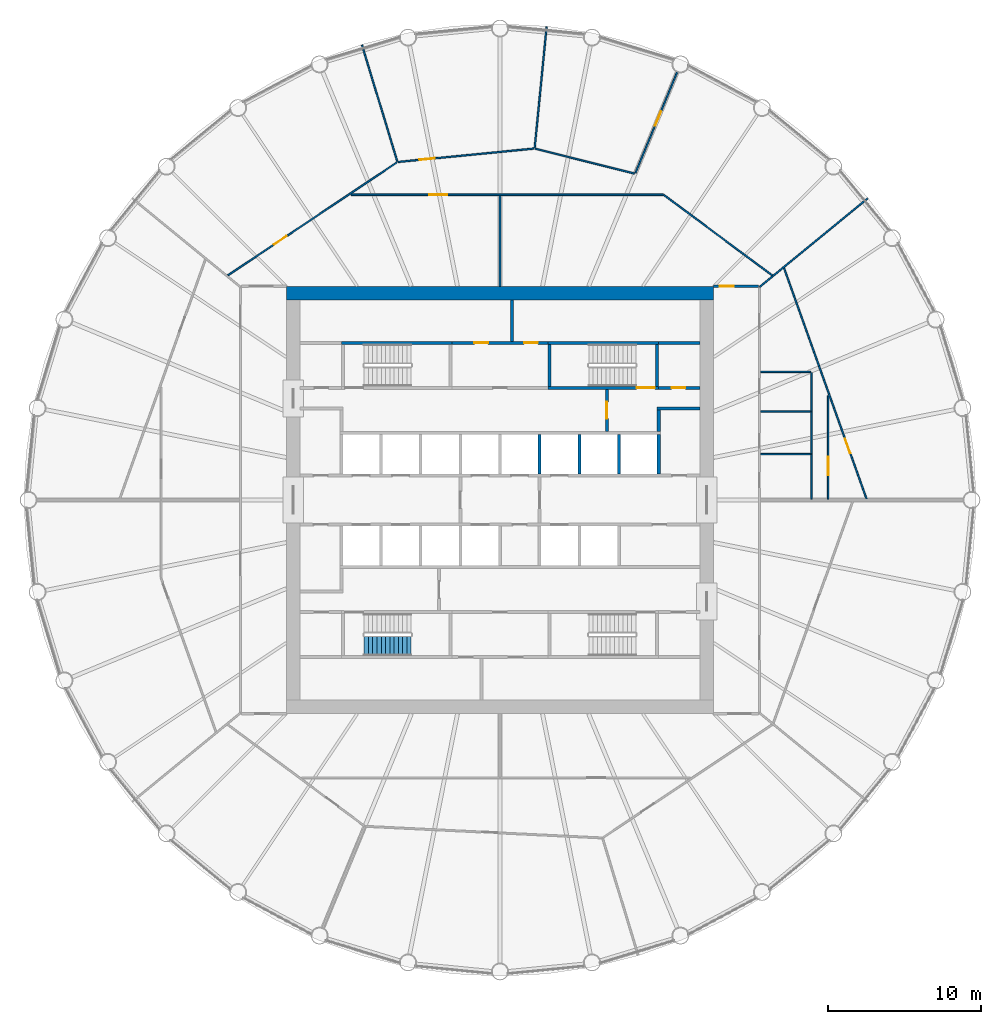
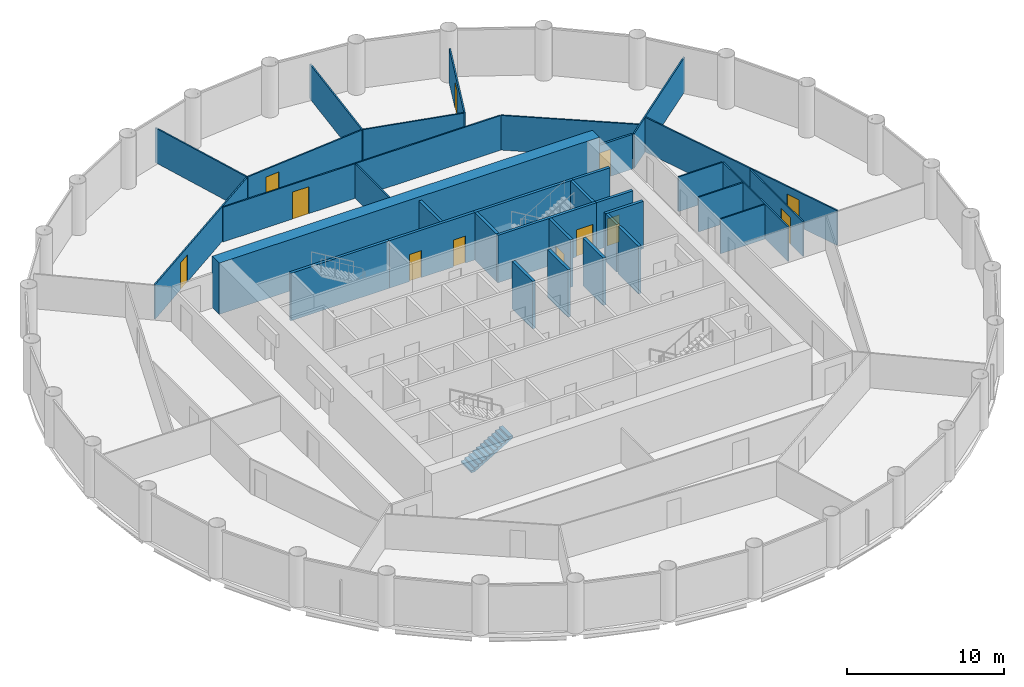
# One storey, part 7 of 9: 34 walls, 12 doors, 1 stair flight, 12 openings, 1 element without a shape of its own.
"""IFC4 building model written with IfcOpenShell, lengths in metres."""

from ifc_helpers import new_model, si_unit, direction, frame, frame_2d, origin, place, context, subcontext, project, spatial, polyline, rectangle, outline, extrude, material, layer, layer_set, type_object, element, fill, aggregate, save


model = new_model("IFC4")

# Units and contexts
model_context = context("Model", 3, precision=1e-05, world=origin(), true_north=direction((0.0, 1.0)))
body_context = subcontext(model_context, "Body", "Model", "MODEL_VIEW")
ifc_project = project(units=[si_unit("LENGTHUNIT", "METRE"), si_unit("AREAUNIT", "SQUARE_METRE"), si_unit("VOLUMEUNIT", "CUBIC_METRE"), si_unit("PLANEANGLEUNIT", "RADIAN"), si_unit("MASSUNIT", "GRAM", prefix="KILO")], contexts=[model_context])

# Site, building, storey
site_placement = place(None, origin())
site = spatial("IfcSite", under=ifc_project, at=site_placement, CompositionType="ELEMENT")
building_placement = place(site_placement, origin())
building = spatial("IfcBuilding", under=site, at=building_placement, Name="Corvane Civic Tower", CompositionType="ELEMENT")
storey_placement = place(building_placement, frame((0.0, 0.0, 180.0)))
storey = spatial("IfcBuildingStorey", under=building, at=storey_placement, Name="L42", CompositionType="ELEMENT", Elevation=180.0)

# Wall
ifc_material_1 = material(Name="Concrete C60/75", Category="concrete")
ifc_layer_1 = layer(ifc_material_1, 0.89990234375)
ifc_layer_set_1 = layer_set([ifc_layer_1], Name="Concrete C60/75")
wall_type_1 = type_object("IfcWallType", Name="CORE WALL 900 C60/75", PredefinedType="SHEAR", material=ifc_layer_set_1)
wall_1_placement = place(storey_placement, frame((-14.0, 13.550048828125, 0.0), z_axis=(0.0, 0.0, 1.0), x_axis=(1.0, 0.0, 0.0)))
element("IfcWall", 1, at=wall_1_placement, inside=storey, type_object=wall_type_1, Name="W-L42-core-N", PredefinedType="SHEAR", context=body_context, shape_type="SweptSolid", body=[
    extrude(rectangle(XDim=28.0, YDim=0.89990234375, at=frame_2d((14.0, 0.0))), origin(), (0.0, 0.0, 1.0), 4.0),
])

# Wall, opening, door
ifc_material_2 = material(Name="Concrete C30/37", Category="concrete")
ifc_layer_2 = layer(ifc_material_2, 0.199951171875)
ifc_layer_set_2 = layer_set([ifc_layer_2], Name="Concrete C30/37")
wall_type_2 = type_object("IfcWallType", Name="CR-WALL-200", PredefinedType="PARTITIONING", material=ifc_layer_set_2)
wall_2_placement = place(storey_placement, frame((10.39990234375, 7.35009765625, 0.0), z_axis=(0.0, 0.0, 1.0), x_axis=(1.0, 0.0, 0.0)))
wall_2 = element("IfcWall", 2, at=wall_2_placement, inside=storey, type_object=wall_type_2, Name="L42 core partition wall", PredefinedType="PARTITIONING", context=body_context, shape_type="SweptSolid", body=[
    extrude(rectangle(XDim=2.7001953125, YDim=0.199951171875, at=frame_2d((1.35009765625, 0.0))), origin(), (0.0, 0.0, 1.0), 3.699951171875),
])
opening_1_placement = place(wall_2_placement, frame((0.85009765625, 0.0, 0.0)))
opening_1 = element("IfcOpeningElement", 3, at=opening_1_placement, cuts=wall_2, Name="Opening L42.C14", PredefinedType="OPENING", context=body_context, shape_type="SweptSolid", body=[
    extrude(rectangle(XDim=0.89990234375, YDim=2.10009765625, at=frame_2d((0.449951171875, 1.050048828125))), frame((0.0, 0.10986328125, 0.0), z_axis=(0.0, -1.0, 0.0), x_axis=(1.0, 0.0, 0.0)), (0.0, 0.0, 1.0), 0.219970703125),
])
ifc_material_3 = material(Name="Steel fire door leaf", Category="steel")
door_type_1 = type_object("IfcDoorType", Name="CR-DOOR-900", OperationType="SINGLE_SWING_LEFT", PredefinedType="DOOR", material=ifc_material_3)
door_1_placement = place(opening_1_placement, origin())
door_1 = element("IfcDoor", 4, at=door_1_placement, inside=storey, type_object=door_type_1, Name="L42 door", OperationType="SINGLE_SWING_LEFT", OverallHeight=2.10009765625, OverallWidth=0.89990234375, PredefinedType="DOOR", context=body_context, shape_type="SweptSolid", body=[
    extrude(rectangle(XDim=0.89990234375, YDim=2.10009765625, at=frame_2d((0.449951171875, 1.050048828125))), frame((0.0, 0.02490234375, 0.0), z_axis=(0.0, -1.0, 0.0), x_axis=(1.0, 0.0, 0.0)), (0.0, 0.0, 1.0), 0.050048828125),
])
fill(opening_1, door_1)

# Wall, openings, doors
wall_3_placement = place(storey_placement, frame((-3.14990234375, 10.300048828125, 0.0), z_axis=(0.0, 0.0, 1.0), x_axis=(1.0, 0.0, 0.0)))
wall_3 = element("IfcWall", 5, at=wall_3_placement, inside=storey, type_object=wall_type_2, Name="L42 partition wall", PredefinedType="PARTITIONING", context=body_context, shape_type="SweptSolid", body=[
    extrude(rectangle(XDim=6.2998046875, YDim=0.199951171875, at=frame_2d((3.14990234375, 0.0))), origin(), (0.0, 0.0, 1.0), 3.699951171875),
])
opening_2_placement = place(wall_3_placement, frame((1.47509765625, 0.0, 0.0)))
opening_2 = element("IfcOpeningElement", 6, at=opening_2_placement, cuts=wall_3, Name="Opening L42.C08", PredefinedType="OPENING", context=body_context, shape_type="SweptSolid", body=[
    extrude(rectangle(XDim=0.89990234375, YDim=2.10009765625, at=frame_2d((0.449951171875, 1.050048828125))), frame((0.0, 0.10986328125, 0.0), z_axis=(0.0, -1.0, 0.0), x_axis=(1.0, 0.0, 0.0)), (0.0, 0.0, 1.0), 0.219970703125),
])
opening_3_placement = place(wall_3_placement, frame((4.72509765625, 0.0, 0.0)))
opening_3 = element("IfcOpeningElement", 7, at=opening_3_placement, cuts=wall_3, Name="Opening L42.C09", PredefinedType="OPENING", context=body_context, shape_type="SweptSolid", body=[
    extrude(rectangle(XDim=0.89990234375, YDim=2.10009765625, at=frame_2d((0.449951171875, 1.050048828125))), frame((0.0, 0.10986328125, 0.0), z_axis=(0.0, -1.0, 0.0), x_axis=(1.0, 0.0, 0.0)), (0.0, 0.0, 1.0), 0.219970703125),
])
door_2_placement = place(opening_2_placement, origin())
door_2 = element("IfcDoor", 8, at=door_2_placement, inside=storey, type_object=door_type_1, Name="L42 door", OperationType="SINGLE_SWING_LEFT", OverallHeight=2.10009765625, OverallWidth=0.89990234375, PredefinedType="DOOR", context=body_context, shape_type="SweptSolid", body=[
    extrude(rectangle(XDim=0.89990234375, YDim=2.10009765625, at=frame_2d((0.449951171875, 1.050048828125))), frame((0.0, 0.02490234375, 0.0), z_axis=(0.0, -1.0, 0.0), x_axis=(1.0, 0.0, 0.0)), (0.0, 0.0, 1.0), 0.050048828125),
])
fill(opening_2, door_2)
door_3_placement = place(opening_3_placement, origin())
door_3 = element("IfcDoor", 9, at=door_3_placement, inside=storey, type_object=door_type_1, Name="L42 door", OperationType="SINGLE_SWING_LEFT", OverallHeight=2.10009765625, OverallWidth=0.89990234375, PredefinedType="DOOR", context=body_context, shape_type="SweptSolid", body=[
    extrude(rectangle(XDim=0.89990234375, YDim=2.10009765625, at=frame_2d((0.449951171875, 1.050048828125))), frame((0.0, 0.02490234375, 0.0), z_axis=(0.0, -1.0, 0.0), x_axis=(1.0, 0.0, 0.0)), (0.0, 0.0, 1.0), 0.050048828125),
])
fill(opening_3, door_3)

# Wall, opening, door
wall_4_placement = place(storey_placement, frame((7.0, 4.5, 0.0), z_axis=(0.0, 0.0, 1.0), x_axis=(0.0, 1.0, 0.0)))
wall_4 = element("IfcWall", 10, at=wall_4_placement, inside=storey, type_object=wall_type_2, Name="L42 core partition wall", PredefinedType="PARTITIONING", context=body_context, shape_type="SweptSolid", body=[
    extrude(rectangle(XDim=2.75, YDim=0.199951171875, at=frame_2d((1.375, 0.0))), origin(), (0.0, 0.0, 1.0), 3.699951171875),
])
opening_4_placement = place(wall_4_placement, frame((0.824951171875, 0.0, 0.0)))
opening_4 = element("IfcOpeningElement", 11, at=opening_4_placement, cuts=wall_4, Name="Opening L42.C22", PredefinedType="OPENING", context=body_context, shape_type="SweptSolid", body=[
    extrude(rectangle(XDim=1.10009765625, YDim=2.10009765625, at=frame_2d((0.550048828125, 1.050048828125))), frame((0.0, 0.10986328125, 0.0), z_axis=(0.0, -1.0, 0.0), x_axis=(1.0, 0.0, 0.0)), (0.0, 0.0, 1.0), 0.219970703125),
])
ifc_material_4 = material(Name="Steel fire door leaf", Category="steel")
door_type_2 = type_object("IfcDoorType", Name="CR-DOOR-FFL-1100", OperationType="SINGLE_SWING_LEFT", PredefinedType="DOOR", material=ifc_material_4)
door_4_placement = place(opening_4_placement, origin())
door_4 = element("IfcDoor", 12, at=door_4_placement, inside=storey, type_object=door_type_2, Name="L42 lobby door", OperationType="SINGLE_SWING_LEFT", OverallHeight=2.10009765625, OverallWidth=1.10009765625, PredefinedType="DOOR", context=body_context, shape_type="SweptSolid", body=[
    extrude(rectangle(XDim=1.10009765625, YDim=2.10009765625, at=frame_2d((0.550048828125, 1.050048828125))), frame((0.0, 0.02490234375, 0.0), z_axis=(0.0, -1.0, 0.0), x_axis=(1.0, 0.0, 0.0)), (0.0, 0.0, 1.0), 0.050048828125),
])
fill(opening_4, door_4)

# Walls
wall_5_placement = place(storey_placement, origin())
element("IfcWall", 13, at=wall_5_placement, inside=storey, type_object=wall_type_2, Name="L42 core partition wall", PredefinedType="PARTITIONING", context=body_context, shape_type="SweptSolid", body=[
    extrude(outline(polyline([(13.10009765625, 5.89990234375), (10.300048828125, 5.89990234375), (10.300048828125, 6.10009765625), (13.10009765625, 6.10009765625), (13.10009765625, 5.89990234375)])), origin(), (0.0, 0.0, 1.0), 3.699951171875),
])
wall_6_placement = place(storey_placement, origin())
element("IfcWall", 14, at=wall_6_placement, inside=storey, type_object=wall_type_2, Name="L42 core partition wall", PredefinedType="PARTITIONING", context=body_context, shape_type="SweptSolid", body=[
    extrude(outline(polyline([(2.699951171875, 1.699951171875), (2.5, 1.699951171875), (2.5, 4.2998046875), (2.699951171875, 4.2998046875), (2.699951171875, 1.699951171875)])), origin(), (0.0, 0.0, 1.0), 3.699951171875),
])
wall_7_placement = place(storey_placement, origin())
element("IfcWall", 15, at=wall_7_placement, inside=storey, type_object=wall_type_2, Name="L42 core partition wall", PredefinedType="PARTITIONING", context=body_context, shape_type="SweptSolid", body=[
    extrude(outline(polyline([(5.300048828125, 1.699951171875), (5.10009765625, 1.699951171875), (5.10009765625, 4.2998046875), (5.300048828125, 4.2998046875), (5.300048828125, 1.699951171875)])), origin(), (0.0, 0.0, 1.0), 3.699951171875),
])
wall_8_placement = place(storey_placement, origin())
element("IfcWall", 16, at=wall_8_placement, inside=storey, type_object=wall_type_2, Name="L42 core partition wall", PredefinedType="PARTITIONING", context=body_context, shape_type="SweptSolid", body=[
    extrude(outline(polyline([(7.89990234375, 1.699951171875), (7.699951171875, 1.699951171875), (7.699951171875, 4.2998046875), (7.89990234375, 4.2998046875), (7.89990234375, 1.699951171875)])), origin(), (0.0, 0.0, 1.0), 3.699951171875),
])
wall_9_placement = place(storey_placement, origin())
element("IfcWall", 17, at=wall_9_placement, inside=storey, type_object=wall_type_2, Name="L42 core partition wall", PredefinedType="PARTITIONING", context=body_context, shape_type="SweptSolid", body=[
    extrude(outline(polyline([(10.5, 1.699951171875), (10.300048828125, 1.699951171875), (10.300048828125, 4.2998046875), (10.5, 4.2998046875), (10.5, 1.699951171875)])), origin(), (0.0, 0.0, 1.0), 3.699951171875),
])
wall_10_placement = place(storey_placement, origin())
element("IfcWall", 18, at=wall_10_placement, inside=storey, type_object=wall_type_2, Name="L42 core partition wall", PredefinedType="PARTITIONING", context=body_context, shape_type="SweptSolid", body=[
    extrude(outline(polyline([(10.5, 4.5), (10.300048828125, 4.5), (10.300048828125, 5.89990234375), (10.5, 5.89990234375), (10.5, 4.5)])), origin(), (0.0, 0.0, 1.0), 3.699951171875),
])
wall_11_placement = place(storey_placement, origin())
element("IfcWall", 19, at=wall_11_placement, inside=storey, type_object=wall_type_2, Name="L42 core partition wall", PredefinedType="PARTITIONING", context=body_context, shape_type="SweptSolid", body=[
    extrude(outline(polyline([(0.89990234375, 10.39990234375), (0.699951171875, 10.39990234375), (0.699951171875, 13.10009765625), (0.89990234375, 13.10009765625), (0.89990234375, 10.39990234375)])), origin(), (0.0, 0.0, 1.0), 3.699951171875),
])
wall_12_placement = place(storey_placement, origin())
element("IfcWall", 20, at=wall_12_placement, inside=storey, type_object=wall_type_2, Name="L42 core partition wall", PredefinedType="PARTITIONING", context=body_context, shape_type="SweptSolid", body=[
    extrude(outline(polyline([(10.39990234375, 10.199951171875), (10.39990234375, 10.39990234375), (13.10009765625, 10.39990234375), (13.10009765625, 10.199951171875), (10.39990234375, 10.199951171875)])), origin(), (0.0, 0.0, 1.0), 3.699951171875),
])
ifc_material_5 = material(Name="Plasterboard")
ifc_layer_3 = layer(ifc_material_5, 0.10009765625)
ifc_layer_set_3 = layer_set([ifc_layer_3], Name="Plasterboard")
wall_type_3 = type_object("IfcWallType", Name="Partition 100 plasterboard on studs", PredefinedType="PARTITIONING", material=ifc_layer_set_3)
wall_13_placement = place(storey_placement, frame((20.39990234375, 0.050048828125, 0.0), z_axis=(0.0, 0.0, 1.0), x_axis=(0.0, 1.0, 0.0)))
element("IfcWall", 21, at=wall_13_placement, inside=storey, type_object=wall_type_3, Name="Partition L42.020", PredefinedType="PARTITIONING", context=body_context, shape_type="SweptSolid", body=[
    extrude(rectangle(XDim=8.300048828125, YDim=0.10009765625, at=frame_2d((4.14990234375, 0.0))), origin(), (0.0, 0.0, 1.0), 2.699951171875),
])

# Wall, opening, door
wall_14_placement = place(storey_placement, frame((21.5, 0.050048828125, 0.0), z_axis=(0.0, 0.0, 1.0), x_axis=(0.0, 1.0, 0.0)))
wall_14 = element("IfcWall", 22, at=wall_14_placement, inside=storey, type_object=wall_type_3, Name="Partition L42.021", PredefinedType="PARTITIONING", context=body_context, shape_type="SweptSolid", body=[
    extrude(rectangle(XDim=6.76513671875, YDim=0.10009765625, at=frame_2d((3.382568359375, 0.0))), origin(), (0.0, 0.0, 1.0), 2.699951171875),
])
opening_5_placement = place(wall_14_placement, frame((1.56982421875, 0.0, 0.0)))
opening_5 = element("IfcOpeningElement", 23, at=opening_5_placement, cuts=wall_14, Name="Opening L42.014", PredefinedType="OPENING", context=body_context, shape_type="SweptSolid", body=[
    extrude(rectangle(XDim=1.199951171875, YDim=2.10009765625, at=frame_2d((0.60009765625, 1.050048828125))), frame((0.0, 0.06005859375, 0.0), z_axis=(0.0, -1.0, 0.0), x_axis=(1.0, 0.0, 0.0)), (0.0, 0.0, 1.0), 0.1201171875),
])
ifc_material_6 = material(Name="Timber", Category="wood")
door_type_3 = type_object("IfcDoorType", Name="Double door 1200", OperationType="NOTDEFINED", PredefinedType="DOOR", material=ifc_material_6)
door_5_placement = place(opening_5_placement, frame((1.199951171875, 0.0, 0.0), z_axis=(0.0, 0.0, 1.0), x_axis=(-1.0, 0.0, 0.0)))
door_5 = element("IfcDoor", 24, at=door_5_placement, inside=storey, type_object=door_type_3, Name="Door L42.014", OperationType="DOUBLE_DOOR_SINGLE_SWING", OverallHeight=2.10009765625, OverallWidth=1.199951171875, PredefinedType="DOOR", context=body_context, shape_type="SweptSolid", body=[
    extrude(rectangle(XDim=1.199951171875, YDim=2.10009765625, at=frame_2d((0.60009765625, 1.050048828125))), frame((0.0, 0.02490234375, 0.0), z_axis=(0.0, -1.0, 0.0), x_axis=(1.0, 0.0, 0.0)), (0.0, 0.0, 1.0), 0.050048828125),
])
fill(opening_5, door_5)

wall_15_placement = place(storey_placement, frame((18.6083984375, 15.18505859375, 0.0), z_axis=(0.0, 0.0, 1.0), x_axis=(0.336879589129, -0.941547737732, 0.0)))
wall_15 = element("IfcWall", 25, at=wall_15_placement, inside=storey, type_object=wall_type_3, Name="Partition L42.023", PredefinedType="PARTITIONING", context=body_context, shape_type="SweptSolid", body=[
    extrude(rectangle(XDim=16.056640625, YDim=0.10009765625, at=frame_2d((8.0283203125, 0.0))), origin(), (0.0, 0.0, 1.0), 2.699951171875),
])
opening_6_placement = place(wall_15_placement, frame((11.872802734375, 0.0, 0.0)))
opening_6 = element("IfcOpeningElement", 26, at=opening_6_placement, cuts=wall_15, Name="Opening L42.013", PredefinedType="OPENING", context=body_context, shape_type="SweptSolid", body=[
    extrude(rectangle(XDim=1.0, YDim=2.10009765625, at=frame_2d((0.5, 1.050048828125))), frame((0.0, 0.06005859375, 0.0), z_axis=(0.0, -1.0, 0.0), x_axis=(1.0, 0.0, 0.0)), (0.0, 0.0, 1.0), 0.1201171875),
])
ifc_material_7 = material(Name="Timber", Category="wood")
door_type_4 = type_object("IfcDoorType", Name="Single door 1000", OperationType="NOTDEFINED", PredefinedType="DOOR", material=ifc_material_7)
door_6_placement = place(opening_6_placement, origin())
door_6 = element("IfcDoor", 27, at=door_6_placement, inside=storey, type_object=door_type_4, Name="Door L42.013", OperationType="SINGLE_SWING_LEFT", OverallHeight=2.10009765625, OverallWidth=1.0, PredefinedType="DOOR", context=body_context, shape_type="SweptSolid", body=[
    extrude(rectangle(XDim=1.0, YDim=2.10009765625, at=frame_2d((0.5, 1.050048828125))), frame((0.0, 0.02490234375, 0.0), z_axis=(0.0, -1.0, 0.0), x_axis=(1.0, 0.0, 0.0)), (0.0, 0.0, 1.0), 0.050048828125),
])
fill(opening_6, door_6)

# Walls
for number, where, z_axis, x_axis, name in (
    (28, (17.074951171875, 3.0, 0.0), (0.0, 0.0, 1.0), (1.0, 0.0, 0.0), "Partition L42.024"),
    (29, (17.074951171875, 5.800048828125, 0.0), (0.0, 0.0, 1.0), (1.0, 0.0, 0.0), "Partition L42.025"),
    (30, (17.074951171875, 8.39990234375, 0.0), (0.0, 0.0, 1.0), (1.0, 0.0, 0.0), "Partition L42.026"),
):
    element("IfcWall", number, at=place(storey_placement, frame(where, z_axis=z_axis, x_axis=x_axis)), inside=storey, type_object=wall_type_3, Name=name, PredefinedType="PARTITIONING", context=body_context, shape_type="SweptSolid", body=[
        extrude(rectangle(XDim=3.275146484375, YDim=0.10009765625, at=frame_2d((1.6376953125, 0.0))), origin(), (0.0, 0.0, 1.0), 2.699951171875),
    ])
wall_16_placement = place(storey_placement, frame((17.018310546875, 13.966552734375, 0.0), z_axis=(0.0, 0.0, 1.0), x_axis=(0.773006154143, 0.634398522742, 0.0)))
element("IfcWall", 31, at=wall_16_placement, inside=storey, type_object=wall_type_3, Name="Partition L42.028", PredefinedType="PARTITIONING", context=body_context, shape_type="SweptSolid", body=[
    extrude(rectangle(XDim=9.134521484375, YDim=0.10009765625, at=frame_2d((4.5673828125, 0.0))), origin(), (0.0, 0.0, 1.0), 2.699951171875),
])
wall_17_placement = place(storey_placement, frame((0.0, 14.0, 0.0), z_axis=(0.0, 0.0, 1.0), x_axis=(0.0, 1.0, 0.0)))
element("IfcWall", 32, at=wall_17_placement, inside=storey, type_object=wall_type_3, Name="Partition L42.030", PredefinedType="PARTITIONING", context=body_context, shape_type="SweptSolid", body=[
    extrude(rectangle(XDim=5.949951171875, YDim=0.10009765625, at=frame_2d((2.97509765625, 0.0))), origin(), (0.0, 0.0, 1.0), 2.699951171875),
])

# Wall, opening, door
wall_18_placement = place(storey_placement, frame((-17.831787109375, 14.717529296875, 0.0), z_axis=(0.0, 0.0, 1.0), x_axis=(0.831460930183, 0.55558322651, 0.0)))
wall_18 = element("IfcWall", 33, at=wall_18_placement, inside=storey, type_object=wall_type_3, Name="Partition L42.032", PredefinedType="PARTITIONING", context=body_context, shape_type="SweptSolid", body=[
    extrude(rectangle(XDim=13.330078125, YDim=0.10009765625, at=frame_2d((6.6650390625, 0.0))), origin(), (0.0, 0.0, 1.0), 2.699951171875),
])
opening_7_placement = place(wall_18_placement, frame((3.630126953125, 0.0, 0.0)))
opening_7 = element("IfcOpeningElement", 34, at=opening_7_placement, cuts=wall_18, Name="Opening L42.001", PredefinedType="OPENING", context=body_context, shape_type="SweptSolid", body=[
    extrude(rectangle(XDim=1.0, YDim=2.10009765625, at=frame_2d((0.5, 1.050048828125))), frame((0.0, 0.06005859375, 0.0), z_axis=(0.0, -1.0, 0.0), x_axis=(1.0, 0.0, 0.0)), (0.0, 0.0, 1.0), 0.1201171875),
])
door_7_placement = place(opening_7_placement, origin())
door_7 = element("IfcDoor", 35, at=door_7_placement, inside=storey, type_object=door_type_4, Name="Door L42.001", OperationType="SINGLE_SWING_LEFT", OverallHeight=2.10009765625, OverallWidth=1.0, PredefinedType="DOOR", context=body_context, shape_type="SweptSolid", body=[
    extrude(rectangle(XDim=1.0, YDim=2.10009765625, at=frame_2d((0.5, 1.050048828125))), frame((0.0, 0.02490234375, 0.0), z_axis=(0.0, -1.0, 0.0), x_axis=(1.0, 0.0, 0.0)), (0.0, 0.0, 1.0), 0.050048828125),
])
fill(opening_7, door_7)

# Wall
wall_19_placement = place(storey_placement, frame((10.728271484375, 19.990234375, 0.0), z_axis=(0.0, 0.0, 1.0), x_axis=(0.803209586085, -0.595696534169, 0.0)))
element("IfcWall", 36, at=wall_19_placement, inside=storey, type_object=wall_type_3, Name="Partition L42.033", PredefinedType="PARTITIONING", context=body_context, shape_type="SweptSolid", body=[
    extrude(rectangle(XDim=8.849609375, YDim=0.10009765625, at=frame_2d((4.4248046875, 0.0))), origin(), (0.0, 0.0, 1.0), 2.699951171875),
])

# Wall, opening, door
wall_20_placement = place(storey_placement, frame((-9.761474609375, 20.0, 0.0), z_axis=(0.0, 0.0, 1.0), x_axis=(1.0, 0.0, 0.0)))
wall_20 = element("IfcWall", 37, at=wall_20_placement, inside=storey, type_object=wall_type_3, Name="Partition L42.034", PredefinedType="PARTITIONING", context=body_context, shape_type="SweptSolid", body=[
    extrude(rectangle(XDim=20.4599609375, YDim=0.10009765625, at=frame_2d((10.22998046875, 0.0))), origin(), (0.0, 0.0, 1.0), 2.699951171875),
])
opening_8_placement = place(wall_20_placement, frame((5.11669921875, 0.0, 0.0)))
opening_8 = element("IfcOpeningElement", 38, at=opening_8_placement, cuts=wall_20, Name="Opening L42.004", PredefinedType="OPENING", context=body_context, shape_type="SweptSolid", body=[
    extrude(rectangle(XDim=1.199951171875, YDim=2.10009765625, at=frame_2d((0.60009765625, 1.050048828125))), frame((0.0, 0.06005859375, 0.0), z_axis=(0.0, -1.0, 0.0), x_axis=(1.0, 0.0, 0.0)), (0.0, 0.0, 1.0), 0.1201171875),
])
door_8_placement = place(opening_8_placement, origin())
door_8 = element("IfcDoor", 39, at=door_8_placement, inside=storey, type_object=door_type_3, Name="Door L42.004", OperationType="DOUBLE_DOOR_SINGLE_SWING", OverallHeight=2.10009765625, OverallWidth=1.199951171875, PredefinedType="DOOR", context=body_context, shape_type="SweptSolid", body=[
    extrude(rectangle(XDim=1.199951171875, YDim=2.10009765625, at=frame_2d((0.60009765625, 1.050048828125))), frame((0.0, 0.02490234375, 0.0), z_axis=(0.0, -1.0, 0.0), x_axis=(1.0, 0.0, 0.0)), (0.0, 0.0, 1.0), 0.050048828125),
])
fill(opening_8, door_8)

# Wall
wall_21_placement = place(storey_placement, frame((2.31005859375, 23.018798828125, 0.0), z_axis=(0.0, 0.0, 1.0), x_axis=(0.970020284766, -0.243023964133, 0.0)))
element("IfcWall", 40, at=wall_21_placement, inside=storey, type_object=wall_type_3, Name="Partition L42.035", PredefinedType="PARTITIONING", context=body_context, shape_type="SweptSolid", body=[
    extrude(rectangle(XDim=6.70458984375, YDim=0.10009765625, at=frame_2d((3.352294921875, 0.0))), origin(), (0.0, 0.0, 1.0), 2.699951171875),
])

# Wall, opening, door
wall_22_placement = place(storey_placement, frame((8.8720703125, 21.4189453125, 0.0), z_axis=(0.0, 0.0, 1.0), x_axis=(0.382674187427, 0.923883361836, 0.0)))
wall_22 = element("IfcWall", 41, at=wall_22_placement, inside=storey, type_object=wall_type_3, Name="Partition L42.036", PredefinedType="PARTITIONING", context=body_context, shape_type="SweptSolid", body=[
    extrude(rectangle(XDim=7.15625, YDim=0.10009765625, at=frame_2d((3.578125, 0.0))), origin(), (0.0, 0.0, 1.0), 2.699951171875),
])
opening_9_placement = place(wall_22_placement, frame((3.361572265625, 0.0, 0.0)))
opening_9 = element("IfcOpeningElement", 42, at=opening_9_placement, cuts=wall_22, Name="Opening L42.003", PredefinedType="OPENING", context=body_context, shape_type="SweptSolid", body=[
    extrude(rectangle(XDim=1.0, YDim=2.10009765625, at=frame_2d((0.5, 1.050048828125))), frame((0.0, 0.06005859375, 0.0), z_axis=(0.0, -1.0, 0.0), x_axis=(1.0, 0.0, 0.0)), (0.0, 0.0, 1.0), 0.1201171875),
])
door_9_placement = place(opening_9_placement, origin())
door_9 = element("IfcDoor", 43, at=door_9_placement, inside=storey, type_object=door_type_4, Name="Door L42.003", OperationType="SINGLE_SWING_LEFT", OverallHeight=2.10009765625, OverallWidth=1.0, PredefinedType="DOOR", context=body_context, shape_type="SweptSolid", body=[
    extrude(rectangle(XDim=1.0, YDim=2.10009765625, at=frame_2d((0.5, 1.050048828125))), frame((0.0, 0.02490234375, 0.0), z_axis=(0.0, -1.0, 0.0), x_axis=(1.0, 0.0, 0.0)), (0.0, 0.0, 1.0), 0.050048828125),
])
fill(opening_9, door_9)

wall_23_placement = place(storey_placement, frame((-6.676513671875, 22.148193359375, 0.0), z_axis=(0.0, 0.0, 1.0), x_axis=(0.995184677377, 0.098017640832, 0.0)))
wall_23 = element("IfcWall", 44, at=wall_23_placement, inside=storey, type_object=wall_type_3, Name="Partition L42.037", PredefinedType="PARTITIONING", context=body_context, shape_type="SweptSolid", body=[
    extrude(rectangle(XDim=8.94677734375, YDim=0.10009765625, at=frame_2d((4.473388671875, 0.0))), origin(), (0.0, 0.0, 1.0), 2.699951171875),
])
opening_10_placement = place(wall_23_placement, frame((1.410400390625, 0.0, 0.0)))
opening_10 = element("IfcOpeningElement", 45, at=opening_10_placement, cuts=wall_23, Name="Opening L42.002", PredefinedType="OPENING", context=body_context, shape_type="SweptSolid", body=[
    extrude(rectangle(XDim=1.0, YDim=2.10009765625, at=frame_2d((0.5, 1.050048828125))), frame((0.0, 0.06005859375, 0.0), z_axis=(0.0, -1.0, 0.0), x_axis=(1.0, 0.0, 0.0)), (0.0, 0.0, 1.0), 0.1201171875),
])
door_10_placement = place(opening_10_placement, origin())
door_10 = element("IfcDoor", 46, at=door_10_placement, inside=storey, type_object=door_type_4, Name="Door L42.002", OperationType="SINGLE_SWING_RIGHT", OverallHeight=2.10009765625, OverallWidth=1.0, PredefinedType="DOOR", context=body_context, shape_type="SweptSolid", body=[
    extrude(rectangle(XDim=1.0, YDim=2.10009765625, at=frame_2d((0.5, 1.050048828125))), frame((0.0, 0.02490234375, 0.0), z_axis=(0.0, -1.0, 0.0), x_axis=(1.0, 0.0, 0.0)), (0.0, 0.0, 1.0), 0.050048828125),
])
fill(opening_10, door_10)

# Walls
wall_24_placement = place(storey_placement, frame((-9.04248046875, 29.808837890625, 0.0), z_axis=(0.0, 0.0, 1.0), x_axis=(0.290292243509, -0.956938040501, 0.0)))
element("IfcWall", 47, at=wall_24_placement, inside=storey, type_object=wall_type_3, Name="Partition L42.038", PredefinedType="PARTITIONING", context=body_context, shape_type="SweptSolid", body=[
    extrude(rectangle(XDim=7.96875, YDim=0.10009765625, at=frame_2d((3.984375, 0.0))), origin(), (0.0, 0.0, 1.0), 2.699951171875),
])
wall_25_placement = place(storey_placement, frame((2.2724609375, 23.072021484375, 0.0), z_axis=(0.0, 0.0, 1.0), x_axis=(0.09800470141, 0.99518595172, 0.0)))
element("IfcWall", 48, at=wall_25_placement, inside=storey, type_object=wall_type_3, Name="Partition L42.039", PredefinedType="PARTITIONING", context=body_context, shape_type="SweptSolid", body=[
    extrude(rectangle(XDim=7.966552734375, YDim=0.10009765625, at=frame_2d((3.9833984375, 0.0))), origin(), (0.0, 0.0, 1.0), 2.699951171875),
])

# Wall, opening, door
ifc_material_8 = material(Name="Concrete C50/60", Category="concrete")
ifc_layer_4 = layer(ifc_material_8, 0.199951171875)
ifc_layer_set_4 = layer_set([ifc_layer_4], Name="Concrete C50/60")
wall_type_4 = type_object("IfcWallType", Name="ST-WALL-200", PredefinedType="SHEAR", material=ifc_layer_set_4)
wall_26_placement = place(storey_placement, frame((3.14990234375, 7.35009765625, 0.0), z_axis=(0.0, 0.0, 1.0), x_axis=(1.0, 0.0, 0.0)))
wall_26 = element("IfcWall", 49, at=wall_26_placement, inside=storey, type_object=wall_type_4, Name="L42 stair enclosure wall", PredefinedType="SHEAR", context=body_context, shape_type="SweptSolid", body=[
    extrude(rectangle(XDim=7.25, YDim=0.199951171875, at=frame_2d((3.625, 0.0))), origin(), (0.0, 0.0, 1.0), 3.699951171875),
])
opening_11_placement = place(wall_26_placement, frame((5.800048828125, 0.0, 0.0)))
opening_11 = element("IfcOpeningElement", 50, at=opening_11_placement, cuts=wall_26, Name="Opening L42.C16", PredefinedType="OPENING", context=body_context, shape_type="SweptSolid", body=[
    extrude(rectangle(XDim=1.199951171875, YDim=2.10009765625, at=frame_2d((0.60009765625, 1.050048828125))), frame((0.0, 0.10986328125, 0.0), z_axis=(0.0, -1.0, 0.0), x_axis=(1.0, 0.0, 0.0)), (0.0, 0.0, 1.0), 0.219970703125),
])
ifc_material_9 = material(Name="Steel fire door leaf", Category="steel")
door_type_5 = type_object("IfcDoorType", Name="ST-DOOR-1200", OperationType="SINGLE_SWING_RIGHT", PredefinedType="DOOR", material=ifc_material_9)
door_11_placement = place(opening_11_placement, origin())
door_11 = element("IfcDoor", 51, at=door_11_placement, inside=storey, type_object=door_type_5, Name="L42 stair door", OperationType="SINGLE_SWING_RIGHT", OverallHeight=2.10009765625, OverallWidth=1.199951171875, PredefinedType="DOOR", context=body_context, shape_type="SweptSolid", body=[
    extrude(rectangle(XDim=1.199951171875, YDim=2.10009765625, at=frame_2d((0.60009765625, 1.050048828125))), frame((0.0, 0.02490234375, 0.0), z_axis=(0.0, -1.0, 0.0), x_axis=(1.0, 0.0, 0.0)), (0.0, 0.0, 1.0), 0.050048828125),
])
fill(opening_11, door_11)

# Walls
wall_27_placement = place(storey_placement, origin())
element("IfcWall", 52, at=wall_27_placement, inside=storey, type_object=wall_type_4, Name="L42 stair enclosure wall", PredefinedType="SHEAR", context=body_context, shape_type="SweptSolid", body=[
    extrude(outline(polyline([(-3.14990234375, 10.199951171875), (-10.39990234375, 10.199951171875), (-10.39990234375, 10.39990234375), (-3.14990234375, 10.39990234375), (-3.14990234375, 10.199951171875)])), origin(), (0.0, 0.0, 1.0), 3.699951171875),
])
wall_28_placement = place(storey_placement, origin())
element("IfcWall", 53, at=wall_28_placement, inside=storey, type_object=wall_type_4, Name="L42 stair enclosure wall", PredefinedType="SHEAR", context=body_context, shape_type="SweptSolid", body=[
    extrude(outline(polyline([(10.39990234375, 10.199951171875), (3.14990234375, 10.199951171875), (3.14990234375, 10.39990234375), (10.39990234375, 10.39990234375), (10.39990234375, 10.199951171875)])), origin(), (0.0, 0.0, 1.0), 3.699951171875),
])
wall_29_placement = place(storey_placement, origin())
element("IfcWall", 54, at=wall_29_placement, inside=storey, type_object=wall_type_4, Name="L42 stair enclosure wall", PredefinedType="SHEAR", context=body_context, shape_type="SweptSolid", body=[
    extrude(outline(polyline([(3.35009765625, 7.449951171875), (3.14990234375, 7.449951171875), (3.14990234375, 10.199951171875), (3.35009765625, 10.199951171875), (3.35009765625, 7.449951171875)])), origin(), (0.0, 0.0, 1.0), 3.699951171875),
])
wall_30_placement = place(storey_placement, origin())
element("IfcWall", 55, at=wall_30_placement, inside=storey, type_object=wall_type_4, Name="L42 stair enclosure wall", PredefinedType="SHEAR", context=body_context, shape_type="SweptSolid", body=[
    extrude(outline(polyline([(10.39990234375, 7.449951171875), (10.199951171875, 7.449951171875), (10.199951171875, 10.199951171875), (10.39990234375, 10.199951171875), (10.39990234375, 7.449951171875)])), origin(), (0.0, 0.0, 1.0), 3.699951171875),
])

# Wall, opening, door
ifc_material_10 = material(Name="Plasterboard")
ifc_layer_5 = layer(ifc_material_10, 0.14990234375)
ifc_layer_set_5 = layer_set([ifc_layer_5], Name="Plasterboard")
wall_type_5 = type_object("IfcWallType", Name="Tenancy wall 150 EI 60", PredefinedType="PARTITIONING", material=ifc_layer_set_5)
wall_31_placement = place(storey_placement, frame((13.989990234375, 14.0, 0.0), z_axis=(0.0, 0.0, 1.0), x_axis=(1.0, 0.0, 0.0)))
wall_31 = element("IfcWall", 56, at=wall_31_placement, inside=storey, type_object=wall_type_5, Name="Partition L42.031", PredefinedType="PARTITIONING", context=body_context, shape_type="SweptSolid", body=[
    extrude(rectangle(XDim=2.93505859375, YDim=0.14990234375, at=frame_2d((1.467529296875, 0.0))), origin(), (0.0, 0.0, 1.0), 2.699951171875),
])
opening_12_placement = place(wall_31_placement, frame((0.41650390625, 0.0, 0.0)))
opening_12 = element("IfcOpeningElement", 57, at=opening_12_placement, cuts=wall_31, Name="Opening L42.006", PredefinedType="OPENING", context=body_context, shape_type="SweptSolid", body=[
    extrude(rectangle(XDim=0.89990234375, YDim=2.10009765625, at=frame_2d((0.449951171875, 1.050048828125))), frame((0.0, 0.0849609375, 0.0), z_axis=(0.0, -1.0, 0.0), x_axis=(1.0, 0.0, 0.0)), (0.0, 0.0, 1.0), 0.169921875),
])
ifc_material_11 = material(Name="Steel and timber", Category="steel")
door_type_6 = type_object("IfcDoorType", Name="Fire door FD30S 900", OperationType="NOTDEFINED", PredefinedType="DOOR", material=ifc_material_11)
door_12_placement = place(opening_12_placement, origin())
door_12 = element("IfcDoor", 58, at=door_12_placement, inside=storey, type_object=door_type_6, Name="Door L42.006", OperationType="SINGLE_SWING_LEFT", OverallHeight=2.10009765625, OverallWidth=0.89990234375, PredefinedType="DOOR", context=body_context, shape_type="SweptSolid", body=[
    extrude(rectangle(XDim=0.89990234375, YDim=2.10009765625, at=frame_2d((0.449951171875, 1.050048828125))), frame((0.0, 0.02490234375, 0.0), z_axis=(0.0, -1.0, 0.0), x_axis=(1.0, 0.0, 0.0)), (0.0, 0.0, 1.0), 0.050048828125),
])
fill(opening_12, door_12)

# Stair, stair flight
ifc_material_12 = material(Name="Concrete C40/50", Category="concrete")
stair_type = type_object("IfcStairType", Name="ST-STAIR-HALFTURN", PredefinedType="HALF_TURN_STAIR", material=ifc_material_12)
stair_placement = place(storey_placement, origin())
stair = element("IfcStair", 59, at=stair_placement, inside=storey, type_object=stair_type, Name="L42 Exit stair ST3", PredefinedType="HALF_TURN_STAIR")
ifc_material_13 = material(Name="Concrete C40/50", Category="concrete")
stair_flight_type = type_object("IfcStairFlightType", Name="ST-FLIGHT-RC", PredefinedType="STRAIGHT", material=ifc_material_13)
stair_flight_placement = place(storey_placement, frame((-8.89990234375, -9.550048828125, 0.0), z_axis=(0.0, 0.0, 1.0), x_axis=(1.0, 0.0, 0.0)))
stair_flight = element("IfcStairFlight", 60, at=stair_flight_placement, type_object=stair_flight_type, Name="ST3 flight 1", NumberOfRisers=12, NumberOfTreads=11, PredefinedType="STRAIGHT", RiserHeight=0.166666667, TreadLength=0.28, context=body_context, shape_type="SweptSolid", body=[
    extrude(outline(polyline([(0.0, 0.0), (0.0, 0.166748046875), (0.280029296875, 0.166748046875), (0.280029296875, 0.333251953125), (0.56005859375, 0.333251953125), (0.56005859375, 0.5), (0.840087890625, 0.5), (0.840087890625, 0.666748046875), (1.1201171875, 0.666748046875), (1.1201171875, 0.833251953125), (1.39990234375, 0.833251953125), (1.39990234375, 1.0), (1.679931640625, 1.0), (1.679931640625, 1.166748046875), (1.9599609375, 1.166748046875), (1.9599609375, 1.333251953125), (2.239990234375, 1.333251953125), (2.239990234375, 1.5), (2.52001953125, 1.5), (2.52001953125, 1.666748046875), (2.800048828125, 1.666748046875), (2.800048828125, 1.833251953125), (3.080078125, 1.833251953125), (3.080078125, 2.0), (3.080078125, 1.658935546875), (0.29296875, 0.0), (0.0, 0.0)])), frame((0.0, 0.64990234375, 0.0), z_axis=(0.0, -1.0, 0.0), x_axis=(1.0, 0.0, 0.0)), (0.0, 0.0, 1.0), 1.300048828125),
])
aggregate(stair, [stair_flight])

save(model, "model.ifc")
